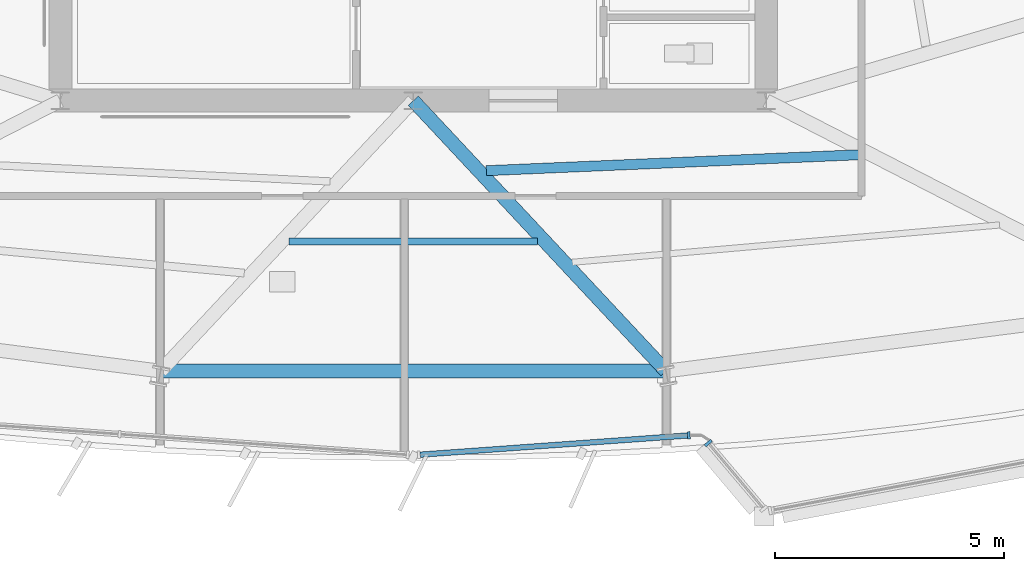
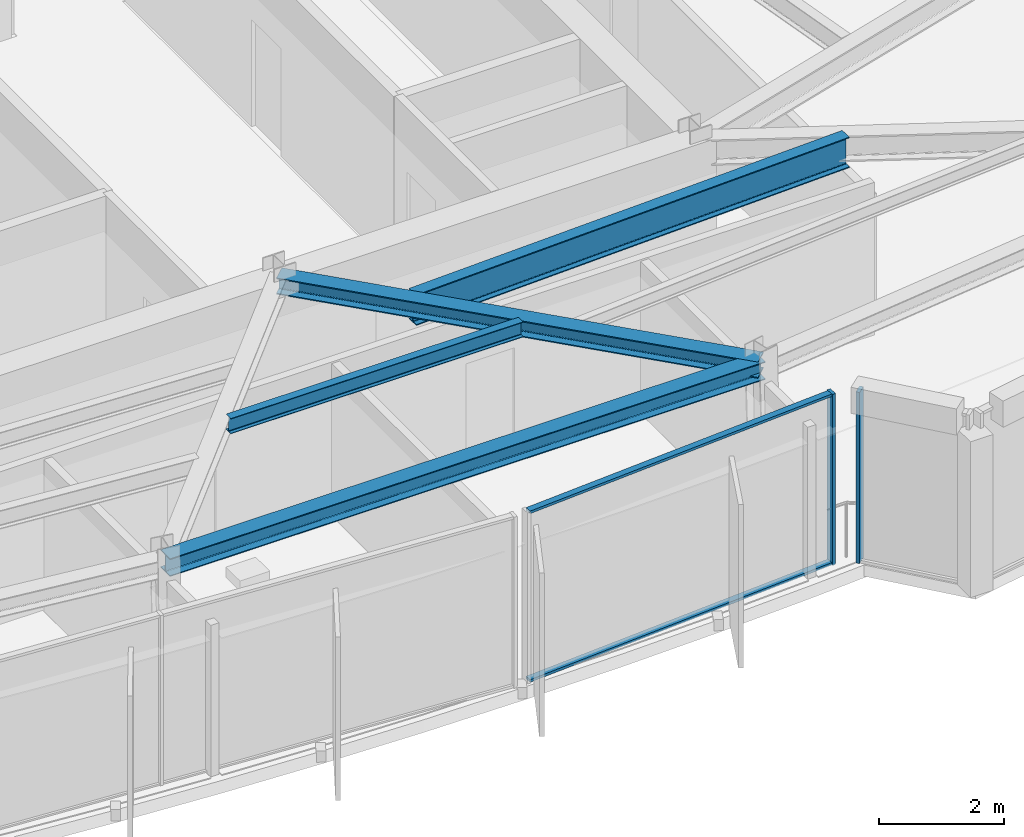
# One storey, part 3 of 14: 4 beams, 4 members, 2 elements without a shape of their own.
"""IFC4 building model written with IfcOpenShell, lengths in metres."""

import ifcopenshell
import ifcopenshell.guid

model = None  # the IFC model being written
_history = None  # IfcOwnerHistory: only IFC2X3 demands one
_inside = {}  # id of a spatial element -> (the spatial element, [elements in it])
_under = {}  # id of a project, library or spatial element -> (it, [spatial elements below it])
_declared = {}  # id of a project -> (the project, [libraries it declares])
_typed = {}  # id of a type object -> (the type object, [elements of that type])
_made_of = {}  # id of a material, layer set ... -> (it, [elements and type objects made of it])


def new_model(schema):
    """Start an empty IFC model of exactly this schema.

    Asked for "IFC4X3", IfcOpenShell would pick the latest addendum, in which some entities
    have other attributes; the version numbers below select the first issue.
    IFC2X3 requires an IfcOwnerHistory on every rooted entity: one is made here for all.
    """
    global model, _history
    if schema == "IFC4X3":
        model = ifcopenshell.file(schema_version=(4, 3, 0, 0))
    else:
        model = ifcopenshell.file(schema=schema)
    _inside.clear()
    _under.clear()
    _declared.clear()
    _typed.clear()
    _made_of.clear()
    _history = None
    if model.schema == "IFC2X3":
        org = make("IfcOrganization", Name="unknown")
        user = make(
            "IfcPersonAndOrganization",
            ThePerson=make("IfcPerson", FamilyName="unknown"),
            TheOrganization=org,
        )
        app = make(
            "IfcApplication",
            ApplicationDeveloper=org,
            Version="unknown",
            ApplicationFullName="unknown",
            ApplicationIdentifier="unknown",
        )
        _history = make(
            "IfcOwnerHistory",
            OwningUser=user,
            OwningApplication=app,
            ChangeAction="ADDED",
            CreationDate=0,
        )
    return model


def make(cls, **values):
    """One entity of the class cls with the attributes given. An attribute that is None is left unset."""
    return model.create_entity(
        cls, **{name: value for name, value in values.items() if value is not None}
    )


def rooted(cls, **values):
    """An entity with a GlobalId (a new one), such as an element, a storey or a relation."""
    return make(cls, GlobalId=ifcopenshell.guid.new(), OwnerHistory=_history, **values)


def si_unit(unit_type, name, prefix=None):
    """IfcSIUnit, for example si_unit("LENGTHUNIT", "METRE", prefix="MILLI")."""
    return make("IfcSIUnit", UnitType=unit_type, Prefix=prefix, Name=name)


def assignment(units):
    """IfcUnitAssignment: the units of a project."""
    return None if units is None else make("IfcUnitAssignment", Units=units)


def point(xyz):
    """IfcCartesianPoint."""
    return None if xyz is None else make("IfcCartesianPoint", Coordinates=xyz)


def direction(xyz):
    """IfcDirection."""
    return None if xyz is None else make("IfcDirection", DirectionRatios=xyz)


def frame(location, z_axis=None, x_axis=None):
    """IfcAxis2Placement3D, a coordinate frame: its origin and axes. An axis left out is left unset."""
    return make(
        "IfcAxis2Placement3D",
        Location=point(location),
        Axis=direction(z_axis),
        RefDirection=direction(x_axis),
    )


def frame_2d(location, x_axis=None):
    """IfcAxis2Placement2D, a coordinate frame in the plane: its origin and x axis."""
    return make(
        "IfcAxis2Placement2D", Location=point(location), RefDirection=direction(x_axis)
    )


def origin():
    """The frame at (0, 0, 0) with its axes left unset."""
    return frame((0.0, 0.0, 0.0))


def origin_2d():
    """The frame at (0, 0) in the plane with its x axis left unset."""
    return frame_2d((0.0, 0.0))


def place(relative_to, where):
    """IfcLocalPlacement: puts the frame where relative to a parent placement (None: the world)."""
    return make(
        "IfcLocalPlacement", PlacementRelTo=relative_to, RelativePlacement=where
    )


def context(
    kind, dimensions, precision=None, world=None, true_north=None, identifier=None
):
    """IfcGeometricRepresentationContext, for example the 3D "Model" context."""
    return make(
        "IfcGeometricRepresentationContext",
        ContextIdentifier=identifier,
        ContextType=kind,
        CoordinateSpaceDimension=dimensions,
        Precision=precision,
        WorldCoordinateSystem=world,
        TrueNorth=true_north,
    )


def subcontext(parent, identifier, kind, view, scale=None):
    """IfcGeometricRepresentationSubContext, for example "Body" below "Model"."""
    return make(
        "IfcGeometricRepresentationSubContext",
        ContextIdentifier=identifier,
        ContextType=kind,
        ParentContext=parent,
        TargetScale=scale,
        TargetView=view,
    )


def project(units=None, contexts=None):
    """IfcProject with its units and contexts."""
    return rooted(
        "IfcProject",
        Name="project",
        RepresentationContexts=contexts,
        UnitsInContext=assignment(units),
    )


def spatial(cls, under=None, at=None, **own):
    """A site, building, storey or space (cls), placed at a placement, below another one or the project."""
    s = rooted(cls, ObjectPlacement=at, **own)
    if under is not None:
        _under.setdefault(under.id(), (under, []))[1].append(s)
    return s


def profile(cls, at=None, kind="AREA", **sizes):
    """A parametric profile (cls). Its sizes go by their IFC names, for example OverallWidth=200.0."""
    return make(cls, ProfileType=kind, Position=at, **sizes)


def rectangle(**sizes):
    """IfcRectangleProfileDef."""
    return profile("IfcRectangleProfileDef", **sizes)


def i_section(**sizes):
    """IfcIShapeProfileDef."""
    return profile("IfcIShapeProfileDef", **sizes)


def extrude(swept, where, along, depth):
    """IfcExtrudedAreaSolid: the profile swept, set in the frame where, extruded along a direction by depth."""
    return make(
        "IfcExtrudedAreaSolid",
        SweptArea=swept,
        Position=where,
        ExtrudedDirection=direction(along),
        Depth=depth,
    )


def shape(context_of_items, identifier, shape_type, items):
    """IfcShapeRepresentation: the items that make up one representation, for example the "Body"."""
    return make(
        "IfcShapeRepresentation",
        ContextOfItems=context_of_items,
        RepresentationIdentifier=identifier,
        RepresentationType=shape_type,
        Items=items,
    )


def material(Name=None, Category=None):
    """IfcMaterial."""
    return make("IfcMaterial", Name=Name, Category=Category)


def material_profile(
    of_material, cross_section, Name=None, Category=None, Priority=None
):
    """IfcMaterialProfile: a cross section and its material."""
    return make(
        "IfcMaterialProfile",
        Name=Name,
        Material=of_material,
        Profile=cross_section,
        Priority=Priority,
        Category=Category,
    )


def profile_set(profiles, Name=None, composite=None):
    """IfcMaterialProfileSet."""
    return make(
        "IfcMaterialProfileSet",
        Name=Name,
        MaterialProfiles=profiles,
        CompositeProfile=composite,
    )


def made_of(thing, what):
    """Note that an element or type object is made of a material, layer set ...; save() writes the relation."""
    if what is not None:
        _made_of.setdefault(what.id(), (what, []))[1].append(thing)
    return thing


def type_object(cls, material=None, **own):
    """A type object (cls), such as IfcWallType, which elements share."""
    return made_of(rooted(cls, **own), material)


def element(
    cls,
    number,
    at=None,
    inside=None,
    cuts=None,
    type_object=None,
    material=None,
    context=None,
    identifier="Body",
    shape_type=None,
    held_by="IfcProductDefinitionShape",
    body=None,
    shapes=None,
    **own,
):
    """One element of the class cls, such as IfcWall. Its Tag is "e" and its number.

    at: its placement. inside: the storey or other place that contains it. cuts: it is an
    opening in that element (IfcRelVoidsElement). A single representation is given by context,
    identifier, shape_type and body (its items); several are given by shapes. held_by: the class
    of the entity that holds the representations. save() writes the other relations.
    """
    e = rooted(cls, Tag="e%d" % number, ObjectPlacement=at, **own)
    if body is not None:
        shapes = [shape(context, identifier, shape_type, body)]
    if shapes is not None:
        e.Representation = make(held_by, Representations=shapes)
    if inside is not None:
        _inside.setdefault(inside.id(), (inside, []))[1].append(e)
    if cuts is not None:
        rooted(
            "IfcRelVoidsElement", RelatingBuildingElement=cuts, RelatedOpeningElement=e
        )
    if type_object is not None:
        _typed.setdefault(type_object.id(), (type_object, []))[1].append(e)
    return made_of(e, material)


def aggregate(whole, parts):
    """IfcRelAggregates: a whole, such as a stair, and the parts it consists of."""
    return rooted("IfcRelAggregates", RelatingObject=whole, RelatedObjects=parts)


def save(model, path):
    """Write the relations noted so far, then the file.

    IfcRelAggregates (storeys below a building ...), IfcRelContainedInSpatialStructure (elements
    in a storey), IfcRelDefinesByType, IfcRelAssociatesMaterial and IfcRelDeclares: one each for
    every whole, place, type object, material and project.
    """
    for whole, parts in _under.values():
        aggregate(whole, parts)
    for where, things in _inside.values():
        rooted(
            "IfcRelContainedInSpatialStructure",
            RelatedElements=things,
            RelatingStructure=where,
        )
    for kind, things in _typed.values():
        rooted("IfcRelDefinesByType", RelatedObjects=things, RelatingType=kind)
    for what, things in _made_of.values():
        rooted("IfcRelAssociatesMaterial", RelatedObjects=things, RelatingMaterial=what)
    for by, libraries in _declared.values():
        rooted("IfcRelDeclares", RelatingContext=by, RelatedDefinitions=libraries)
    model.write(path)


model = new_model("IFC4")

# Units and contexts
model_context = context("Model", 3, precision=1e-05, world=origin(), true_north=direction((0.0, 1.0)))
body_context = subcontext(model_context, "Body", "Model", "MODEL_VIEW")
ifc_project = project(units=[si_unit("LENGTHUNIT", "METRE"), si_unit("AREAUNIT", "SQUARE_METRE"), si_unit("VOLUMEUNIT", "CUBIC_METRE"), si_unit("PLANEANGLEUNIT", "RADIAN"), si_unit("MASSUNIT", "GRAM", prefix="KILO")], contexts=[model_context])

# Site, building, storey
site_placement = place(None, origin())
site = spatial("IfcSite", under=ifc_project, at=site_placement, CompositionType="ELEMENT")
building_placement = place(site_placement, origin())
building = spatial("IfcBuilding", under=site, at=building_placement, Name="Savorim Split Tower", CompositionType="ELEMENT")
storey_placement = place(building_placement, frame((0.0, 0.0, 219.89990234375)))
storey = spatial("IfcBuildingStorey", under=building, at=storey_placement, Name="L58", CompositionType="ELEMENT", Elevation=219.89990234375)

# Beams
ifc_material_1 = material(Name="Steel S355", Category="steel")
ifc_material_profile_1 = material_profile(ifc_material_1, i_section(OverallWidth=0.14990234375, OverallDepth=0.300048828125, WebThickness=0.007080078125, FlangeThickness=0.0107421875, FilletRadius=0.014892578125, at=origin_2d()), Name="IPE 300")
ifc_profile_set_1 = profile_set([ifc_material_profile_1], Name="Steel S355")
beam_type_1 = type_object("IfcBeamType", Name="BM-JST-IPE300", PredefinedType="JOIST", material=ifc_profile_set_1)
beam_1_placement = place(storey_placement, frame((-2.70654296875, -12.46728515625, 3.2001953125), z_axis=(1.0, 0.0, 0.0), x_axis=(0.0, 1.0, 0.0)))
element("IfcBeam", 1, at=beam_1_placement, inside=storey, type_object=beam_type_1, Name="L58 Secondary Floor Joist JS-03", PredefinedType="JOIST", context=body_context, shape_type="SweptSolid", body=[
    extrude(i_section(OverallWidth=0.14990234375, OverallDepth=0.300048828125, WebThickness=0.007080078125, FlangeThickness=0.0107421875, FilletRadius=0.014892578125, at=origin_2d()), origin(), (0.0, 0.0, 1.0), 5.4130859375),
])
ifc_material_profile_2 = material_profile(ifc_material_1, i_section(OverallWidth=0.219970703125, OverallDepth=0.60009765625, WebThickness=0.011962890625, FlangeThickness=0.01904296875, FilletRadius=0.02392578125, at=origin_2d()), Name="IPE 600")
ifc_profile_set_2 = profile_set([ifc_material_profile_2], Name="Steel S355")
beam_type_2 = type_object("IfcBeamType", Name="BM-JST-IPE600", PredefinedType="JOIST", material=ifc_profile_set_2)
beam_2_placement = place(storey_placement, frame((1.59326171875, -10.9267578125, 3.050048828125), z_axis=(0.999086970778, 0.042722649975, 0.0), x_axis=(-0.042722649975, 0.999086970778, 0.0)))
element("IfcBeam", 2, at=beam_2_placement, inside=storey, type_object=beam_type_2, Name="L58 Secondary Floor Joist JS-05", PredefinedType="JOIST", context=body_context, shape_type="SweptSolid", body=[
    extrude(i_section(OverallWidth=0.219970703125, OverallDepth=0.60009765625, WebThickness=0.011962890625, FlangeThickness=0.01904296875, FilletRadius=0.02392578125, at=origin_2d()), origin(), (0.0, 0.0, 1.0), 8.22900390625),
])
ifc_material_profile_3 = material_profile(ifc_material_1, i_section(OverallWidth=0.300048828125, OverallDepth=0.320068359375, WebThickness=0.011474609375, FlangeThickness=0.0205078125, FilletRadius=0.027099609375, at=origin_2d()), Name="HEB 320")
ifc_profile_set_3 = profile_set([ifc_material_profile_3], Name="Steel S355")
beam_type_3 = type_object("IfcBeamType", Name="BM-PRI-HEB320", PredefinedType="BEAM", material=ifc_profile_set_3)
beam_3_placement = place(storey_placement, frame((5.5126953125, -15.29833984375, 3.190185546875), z_axis=(-0.682813709527, 0.73059252534, 0.0), x_axis=(-0.73059252534, -0.682813709527, 0.0)))
element("IfcBeam", 3, at=beam_3_placement, inside=storey, type_object=beam_type_3, Name="L58 Primary Floor Girder RG-03", PredefinedType="BEAM", context=body_context, shape_type="SweptSolid", body=[
    extrude(i_section(OverallWidth=0.300048828125, OverallDepth=0.320068359375, WebThickness=0.011474609375, FlangeThickness=0.0205078125, FilletRadius=0.027099609375, at=origin_2d()), origin(), (0.0, 0.0, 1.0), 8.073486328125),
])
ifc_material_profile_4 = material_profile(ifc_material_1, i_section(OverallWidth=0.300048828125, OverallDepth=0.35009765625, WebThickness=0.010009765625, FlangeThickness=0.017578125, FilletRadius=0.027099609375, at=origin_2d()), Name="HEA 360")
ifc_profile_set_4 = profile_set([ifc_material_profile_4], Name="Steel S355")
beam_type_4 = type_object("IfcBeamType", Name="BM-SPN-HEA360", PredefinedType="SPANDREL", material=ifc_profile_set_4)
beam_4_placement = place(storey_placement, frame((-5.5126953125, -15.29833984375, 3.175048828125), z_axis=(1.0, 0.0, 0.0), x_axis=(0.0, 1.0, 0.0)))
element("IfcBeam", 4, at=beam_4_placement, inside=storey, type_object=beam_type_4, Name="L58 Perimeter Spandrel Beam 2", PredefinedType="SPANDREL", context=body_context, shape_type="SweptSolid", body=[
    extrude(i_section(OverallWidth=0.300048828125, OverallDepth=0.35009765625, WebThickness=0.010009765625, FlangeThickness=0.017578125, FilletRadius=0.027099609375, at=origin_2d()), origin(), (0.0, 0.0, 1.0), 11.025390625),
])

# Curtain wall, member
ifc_material_2 = material(Name="Dark Ceramic-Fritted Insulated Glass", Category="glass")
curtain_wall_type_1 = type_object("IfcCurtainWallType", Name="CW-TWR-FRIT-B", PredefinedType="NOTDEFINED", material=ifc_material_2)
curtain_wall_1_placement = place(storey_placement, origin())
curtain_wall_1 = element("IfcCurtainWall", 5, at=curtain_wall_1_placement, inside=storey, type_object=curtain_wall_type_1, Name="L58 Curtain Wall CW-L58-SF3A", PredefinedType="NOTDEFINED")
ifc_material_3 = material(Name="Charcoal Anodised Aluminium", Category="aluminium")
ifc_material_profile_5 = material_profile(ifc_material_3, rectangle(XDim=0.159912109375, YDim=0.06005859375, at=origin_2d()), Name="ALU-M 160x60")
ifc_profile_set_5 = profile_set([ifc_material_profile_5], Name="Charcoal Anodised Aluminium")
member_type_1 = type_object("IfcMemberType", Name="CWM-160x60", PredefinedType="MULLION", material=ifc_profile_set_5)
member_1_placement = place(storey_placement, frame((6.009521484375, -16.701416015625, 0.0), z_axis=(0.0, 0.0, 1.0), x_axis=(-0.071567603964, 0.997435751346, 0.0)))
member_1 = element("IfcMember", 6, at=member_1_placement, type_object=member_type_1, Name="CW-03 mullion 2", PredefinedType="MULLION", context=body_context, shape_type="SweptSolid", body=[
    extrude(rectangle(XDim=0.159912109375, YDim=0.06005859375, at=origin_2d()), origin(), (0.0, 0.0, 1.0), 3.35009765625),
])

curtain_wall_type_2 = type_object("IfcCurtainWallType", Name="CW-BAY-LOUNGE", PredefinedType="NOTDEFINED", material=ifc_material_2)
curtain_wall_2_placement = place(storey_placement, origin())
curtain_wall_2 = element("IfcCurtainWall", 7, at=curtain_wall_2_placement, inside=storey, type_object=curtain_wall_type_2, Name="L58 Curtain Wall CW-L58-BAYW", PredefinedType="NOTDEFINED")
ifc_material_profile_6 = material_profile(ifc_material_3, rectangle(XDim=0.179931640625, YDim=0.06494140625, at=origin_2d()), Name="ALU-M 180x65")
ifc_profile_set_6 = profile_set([ifc_material_profile_6], Name="Charcoal Anodised Aluminium")
member_type_2 = type_object("IfcMemberType", Name="CWM-180x65", PredefinedType="MULLION", material=ifc_profile_set_6)
member_2_placement = place(storey_placement, frame((6.435546875, -16.868896484375, 0.0), z_axis=(0.0, 0.0, 1.0), x_axis=(0.764175565711, 0.645008298218, 0.0)))
member_2 = element("IfcMember", 8, at=member_2_placement, type_object=member_type_2, Name="CW-04 mullion 1", PredefinedType="MULLION", context=body_context, shape_type="SweptSolid", body=[
    extrude(rectangle(XDim=0.179931640625, YDim=0.06494140625, at=origin_2d()), origin(), (0.0, 0.0, 1.0), 3.35009765625),
])
aggregate(curtain_wall_2, [member_2])

# Member
ifc_material_profile_7 = material_profile(ifc_material_3, rectangle(XDim=0.1201171875, YDim=0.050048828125, at=origin_2d()), Name="ALU-T 120x50")
ifc_profile_set_7 = profile_set([ifc_material_profile_7], Name="Charcoal Anodised Aluminium")
member_type_3 = type_object("IfcMemberType", Name="CWT-120x50", PredefinedType="USERDEFINED", material=ifc_profile_set_7)
member_3_placement = place(storey_placement, frame((0.151123046875, -17.121826171875, 0.025146484375), z_axis=(0.997435743975, 0.071567706686, 0.0), x_axis=(-0.071567706686, 0.997435743975, 0.0)))
member_3 = element("IfcMember", 9, at=member_3_placement, type_object=member_type_3, Name="CW-03 transom 1.1", ObjectType="TRANSOM", PredefinedType="USERDEFINED", context=body_context, shape_type="SweptSolid", body=[
    extrude(rectangle(XDim=0.1201171875, YDim=0.050048828125, at=origin_2d()), origin(), (0.0, 0.0, 1.0), 5.843505859375),
])

member_4_placement = place(storey_placement, frame((0.151123046875, -17.121826171875, 3.3251953125), z_axis=(0.997435743975, 0.071567706686, 0.0), x_axis=(-0.071567706686, 0.997435743975, 0.0)))
member_4 = element("IfcMember", 10, at=member_4_placement, type_object=member_type_3, Name="CW-03 transom 1.2", ObjectType="TRANSOM", PredefinedType="USERDEFINED", context=body_context, shape_type="SweptSolid", body=[
    extrude(rectangle(XDim=0.1201171875, YDim=0.050048828125, at=origin_2d()), origin(), (0.0, 0.0, 1.0), 5.843505859375),
])

aggregate(curtain_wall_1, [member_1, member_3, member_4])

save(model, "model.ifc")
